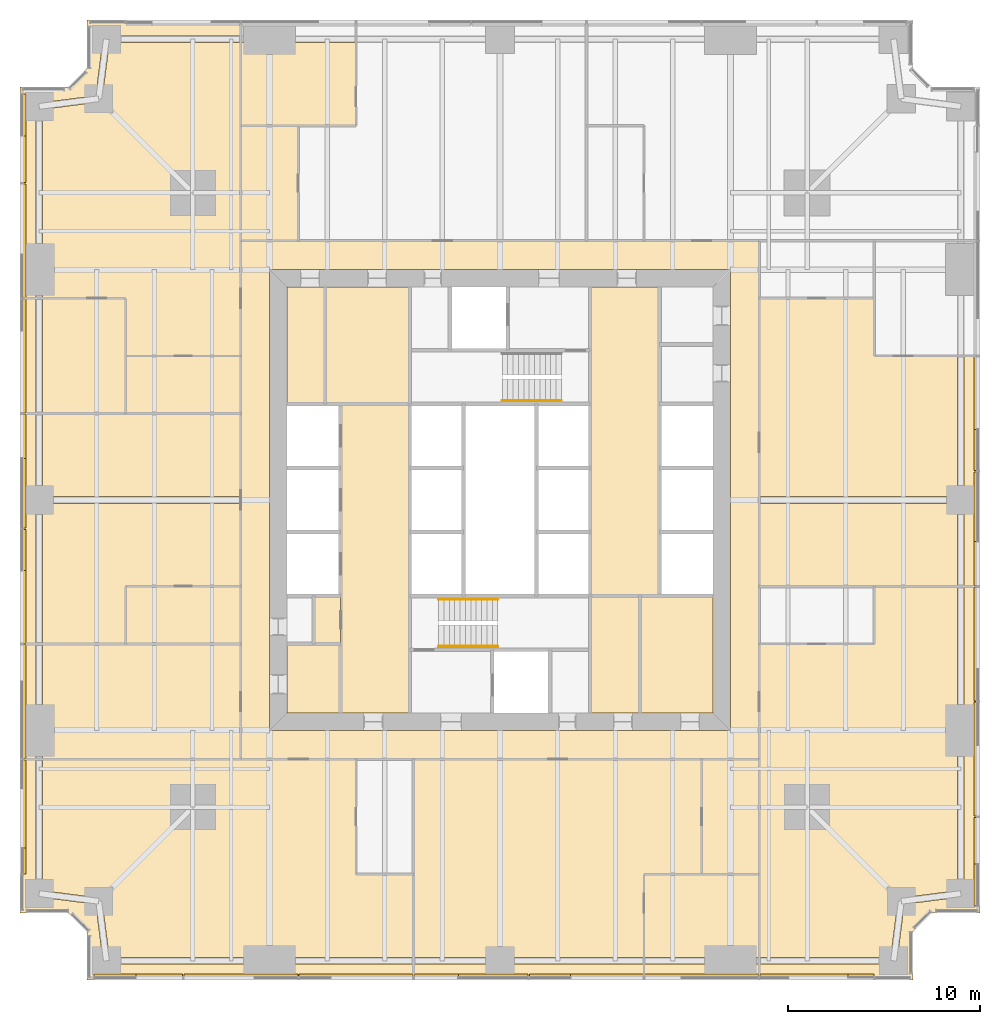
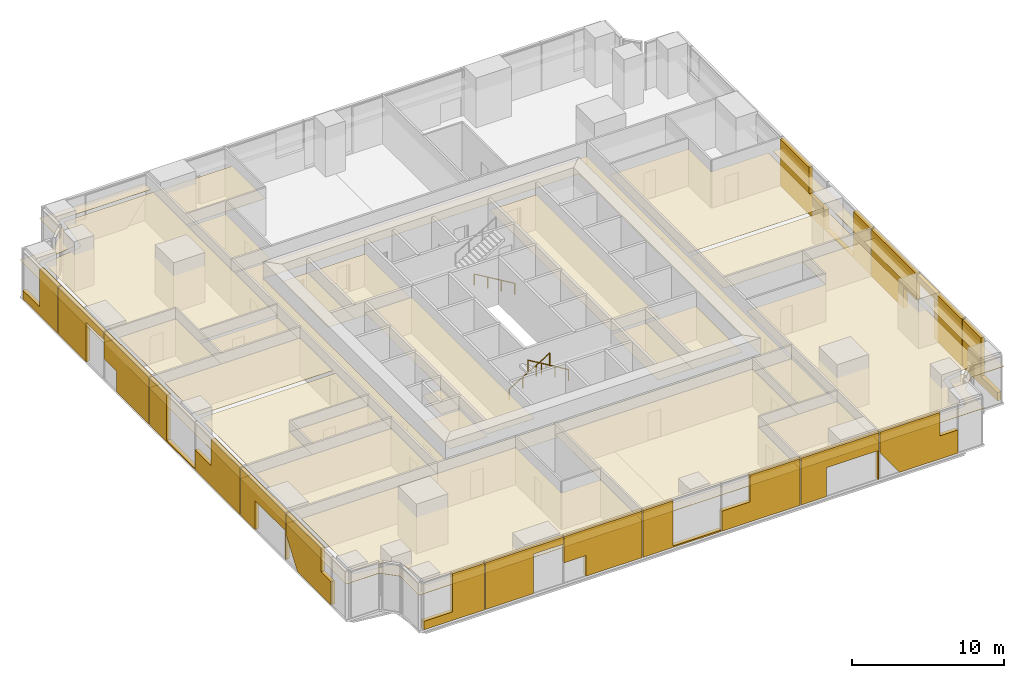
# One storey, part 12 of 13: 53 coverings, 3 railings.
"""IFC4 building model written with IfcOpenShell, lengths in metres."""

from ifc_helpers import new_model, si_unit, direction, frame, origin, origin_2d, place, context, subcontext, project, spatial, polyline, circle, outline, extrude, material, layer, layer_set, type_object, element, save


model = new_model("IFC4")

# Units and contexts
model_context = context("Model", 3, precision=1e-05, world=origin(), true_north=direction((0.0, 1.0)))
body_context = subcontext(model_context, "Body", "Model", "MODEL_VIEW")
ifc_project = project(units=[si_unit("LENGTHUNIT", "METRE"), si_unit("AREAUNIT", "SQUARE_METRE"), si_unit("VOLUMEUNIT", "CUBIC_METRE"), si_unit("PLANEANGLEUNIT", "RADIAN"), si_unit("MASSUNIT", "GRAM", prefix="KILO")], contexts=[model_context])

# Site, building, storey
site_placement = place(None, origin())
site = spatial("IfcSite", under=ifc_project, at=site_placement, CompositionType="ELEMENT")
building_placement = place(site_placement, origin())
building = spatial("IfcBuilding", under=site, at=building_placement, Name="Fenwick Lantern Interchange", CompositionType="ELEMENT")
storey_placement = place(building_placement, frame((0.0, 0.0, 47.0)))
storey = spatial("IfcBuildingStorey", under=building, at=storey_placement, Name="L10", CompositionType="ELEMENT", Elevation=47.0)

# Coverings
ifc_material_1 = material(Name="Mineral fibre acoustic tile on suspended grid")
ifc_layer_1 = layer(ifc_material_1, 0.02001953125)
ifc_layer_set_1 = layer_set([ifc_layer_1], Name="ACOUSTIC TILE CEILING 20")
covering_type_1 = type_object("IfcCoveringType", Name="ACOUSTIC TILE CEILING 20", PredefinedType="CEILING", material=ifc_layer_set_1)
covering_1_placement = place(storey_placement, frame((0.0, 0.0, 2.699951171875)))
element("IfcCovering", 1, at=covering_1_placement, inside=storey, type_object=covering_type_1, Name="Print and copy room ceiling", PredefinedType="CEILING", context=body_context, shape_type="SweptSolid", body=[
    extrude(outline(polyline([(15.300048828125, 17.5), (16.699951171875, 17.5), (16.699951171875, 20.0), (15.300048828125, 20.0), (15.300048828125, 17.5)])), origin(), (0.0, 0.0, 1.0), 0.02001953125),
])
covering_2_placement = place(storey_placement, frame((0.0, 0.0, 2.89990234375)))
element("IfcCovering", 2, at=covering_2_placement, inside=storey, type_object=covering_type_1, Name="Office suite ceiling", PredefinedType="CEILING", context=body_context, shape_type="SweptSolid", body=[
    extrude(outline(polyline([(20.5, 1.17236328125), (20.5, 5.5), (17.5, 5.5), (17.5, 11.5), (1.17236328125, 11.5), (1.17236328125, 4.651611328125), (4.1220703125, 4.27099609375), (4.10009765625, 4.10009765625), (4.27099609375, 4.1220703125), (4.651611328125, 1.17236328125), (13.0, 1.17236328125), (20.5, 1.17236328125)])), origin(), (0.0, 0.0, 1.0), 0.02001953125),
])
covering_3_placement = place(storey_placement, frame((0.0, 0.0, 2.89990234375)))
element("IfcCovering", 3, at=covering_3_placement, inside=storey, type_object=covering_type_1, Name="Office suite ceiling", PredefinedType="CEILING", context=body_context, shape_type="SweptSolid", body=[
    extrude(outline(polyline([(20.5, 0.0), (20.5, 0.82763671875), (13.0, 0.82763671875), (4.5, 0.82763671875), (4.5, 1.0), (4.3291015625, 0.97802734375), (3.946044921875, 3.946044921875), (0.97802734375, 4.3291015625), (1.0, 4.5), (0.82763671875, 4.5), (0.82763671875, 11.5), (0.0, 11.5), (0.0, 3.5), (2.5, 3.5), (3.5, 2.5), (3.5, 0.0), (20.5, 0.0)])), origin(), (0.0, 0.0, 1.0), 0.02001953125),
])
covering_4_placement = place(storey_placement, frame((0.0, 0.0, 2.89990234375)))
element("IfcCovering", 4, at=covering_4_placement, inside=storey, type_object=covering_type_1, Name="Office suite ceiling", PredefinedType="CEILING", context=body_context, shape_type="SweptSolid", body=[
    extrude(outline(polyline([(20.5, 11.5), (20.5, 1.17236328125), (25.0, 1.17236328125), (32.5, 1.17236328125), (32.5, 5.5), (35.5, 5.5), (35.5, 11.5), (20.5, 11.5)])), origin(), (0.0, 0.0, 1.0), 0.02001953125),
])
covering_5_placement = place(storey_placement, frame((0.0, 0.0, 2.89990234375)))
element("IfcCovering", 5, at=covering_5_placement, inside=storey, type_object=covering_type_1, Name="Office suite ceiling", PredefinedType="CEILING", context=body_context, shape_type="SweptSolid", body=[
    extrude(outline(polyline([(20.5, 0.82763671875), (20.5, 0.0), (32.5, 0.0), (32.5, 0.82763671875), (25.0, 0.82763671875), (20.5, 0.82763671875)])), origin(), (0.0, 0.0, 1.0), 0.02001953125),
])
covering_6_placement = place(storey_placement, frame((0.0, 0.0, 2.89990234375)))
element("IfcCovering", 6, at=covering_6_placement, inside=storey, type_object=covering_type_1, Name="Meeting room ceiling", PredefinedType="CEILING", context=body_context, shape_type="SweptSolid", body=[
    extrude(outline(polyline([(32.5, 5.5), (32.5, 1.17236328125), (37.0, 1.17236328125), (38.5, 1.17236328125), (38.5, 5.5), (32.5, 5.5)])), origin(), (0.0, 0.0, 1.0), 0.02001953125),
])
covering_7_placement = place(storey_placement, frame((0.0, 0.0, 2.89990234375)))
element("IfcCovering", 7, at=covering_7_placement, inside=storey, type_object=covering_type_1, Name="Meeting room ceiling", PredefinedType="CEILING", context=body_context, shape_type="SweptSolid", body=[
    extrude(outline(polyline([(38.5, 0.0), (38.5, 0.82763671875), (37.0, 0.82763671875), (32.5, 0.82763671875), (32.5, 0.0), (38.5, 0.0)])), origin(), (0.0, 0.0, 1.0), 0.02001953125),
])
covering_8_placement = place(storey_placement, frame((0.0, 0.0, 2.89990234375)))
element("IfcCovering", 8, at=covering_8_placement, inside=storey, type_object=covering_type_1, Name="Office suite ceiling", PredefinedType="CEILING", context=body_context, shape_type="SweptSolid", body=[
    extrude(outline(polyline([(48.82763671875, 20.5), (44.5, 20.5), (44.5, 17.5), (38.5, 17.5), (38.5, 1.17236328125), (45.348388671875, 1.17236328125), (45.72900390625, 4.1220703125), (45.89990234375, 4.10009765625), (45.8779296875, 4.27099609375), (48.82763671875, 4.651611328125), (48.82763671875, 13.0), (48.82763671875, 20.5)])), origin(), (0.0, 0.0, 1.0), 0.02001953125),
])
covering_9_placement = place(storey_placement, frame((0.0, 0.0, 2.89990234375)))
element("IfcCovering", 9, at=covering_9_placement, inside=storey, type_object=covering_type_1, Name="Office suite ceiling", PredefinedType="CEILING", context=body_context, shape_type="SweptSolid", body=[
    extrude(outline(polyline([(50.0, 20.5), (49.17236328125, 20.5), (49.17236328125, 13.0), (49.17236328125, 4.5), (49.0, 4.5), (49.02197265625, 4.3291015625), (46.053955078125, 3.946044921875), (45.6708984375, 0.97802734375), (45.5, 1.0), (45.5, 0.82763671875), (38.5, 0.82763671875), (38.5, 0.0), (46.5, 0.0), (46.5, 2.5), (47.5, 3.5), (50.0, 3.5), (50.0, 20.5)])), origin(), (0.0, 0.0, 1.0), 0.02001953125),
])
covering_10_placement = place(storey_placement, frame((0.0, 0.0, 2.89990234375)))
element("IfcCovering", 10, at=covering_10_placement, inside=storey, type_object=covering_type_1, Name="Office suite ceiling", PredefinedType="CEILING", context=body_context, shape_type="SweptSolid", body=[
    extrude(outline(polyline([(38.5, 35.5), (38.5, 25.175048828125), (48.82763671875, 25.175048828125), (48.82763671875, 32.5), (44.5, 32.5), (44.5, 35.5), (38.5, 35.5)])), origin(), (0.0, 0.0, 1.0), 0.02001953125),
])
covering_11_placement = place(storey_placement, frame((0.0, 0.0, 2.89990234375)))
element("IfcCovering", 11, at=covering_11_placement, inside=storey, type_object=covering_type_1, Name="Office suite ceiling", PredefinedType="CEILING", context=body_context, shape_type="SweptSolid", body=[
    extrude(outline(polyline([(38.5, 20.5), (48.82763671875, 20.5), (48.82763671875, 24.824951171875), (38.5, 24.824951171875), (38.5, 20.5)])), origin(), (0.0, 0.0, 1.0), 0.02001953125),
])
covering_12_placement = place(storey_placement, frame((0.0, 0.0, 2.89990234375)))
element("IfcCovering", 12, at=covering_12_placement, inside=storey, type_object=covering_type_1, Name="Office suite ceiling", PredefinedType="CEILING", context=body_context, shape_type="SweptSolid", body=[
    extrude(outline(polyline([(49.17236328125, 20.5), (50.0, 20.5), (50.0, 32.5), (49.17236328125, 32.5), (49.17236328125, 25.0), (49.17236328125, 20.5)])), origin(), (0.0, 0.0, 1.0), 0.02001953125),
])
covering_13_placement = place(storey_placement, frame((0.0, 0.0, 2.89990234375)))
element("IfcCovering", 13, at=covering_13_placement, inside=storey, type_object=covering_type_1, Name="Meeting room ceiling", PredefinedType="CEILING", context=body_context, shape_type="SweptSolid", body=[
    extrude(outline(polyline([(17.5, 44.5), (17.5, 48.82763671875), (13.0, 48.82763671875), (11.5, 48.82763671875), (11.5, 44.5), (17.5, 44.5)])), origin(), (0.0, 0.0, 1.0), 0.02001953125),
])
covering_14_placement = place(storey_placement, frame((0.0, 0.0, 2.89990234375)))
element("IfcCovering", 14, at=covering_14_placement, inside=storey, type_object=covering_type_1, Name="Office suite ceiling", PredefinedType="CEILING", context=body_context, shape_type="SweptSolid", body=[
    extrude(outline(polyline([(11.5, 32.5), (11.5, 48.82763671875), (4.651611328125, 48.82763671875), (4.27099609375, 45.8779296875), (4.10009765625, 45.89990234375), (4.1220703125, 45.72900390625), (1.17236328125, 45.348388671875), (1.17236328125, 37.0), (1.17236328125, 35.5), (5.5, 35.5), (5.5, 32.5), (11.5, 32.5)])), origin(), (0.0, 0.0, 1.0), 0.02001953125),
])
covering_15_placement = place(storey_placement, frame((0.0, 0.0, 2.89990234375)))
element("IfcCovering", 15, at=covering_15_placement, inside=storey, type_object=covering_type_1, Name="Office suite ceiling", PredefinedType="CEILING", context=body_context, shape_type="SweptSolid", body=[
    extrude(outline(polyline([(3.5, 47.5), (2.5, 46.5), (0.0, 46.5), (0.0, 35.5), (0.82763671875, 35.5), (0.82763671875, 37.0), (0.82763671875, 45.5), (1.0, 45.5), (0.97802734375, 45.6708984375), (3.946044921875, 46.053955078125), (4.3291015625, 49.02197265625), (4.5, 49.0), (4.5, 49.17236328125), (11.5, 49.17236328125), (11.5, 50.0), (3.5, 50.0), (3.5, 47.5)])), origin(), (0.0, 0.0, 1.0), 0.02001953125),
])
covering_16_placement = place(storey_placement, frame((0.0, 0.0, 2.89990234375)))
element("IfcCovering", 16, at=covering_16_placement, inside=storey, type_object=covering_type_1, Name="Meeting room ceiling", PredefinedType="CEILING", context=body_context, shape_type="SweptSolid", body=[
    extrude(outline(polyline([(5.5, 35.5), (1.17236328125, 35.5), (1.17236328125, 29.5), (5.5, 29.5), (5.5, 35.5)])), origin(), (0.0, 0.0, 1.0), 0.02001953125),
])
covering_17_placement = place(storey_placement, frame((0.0, 0.0, 2.89990234375)))
element("IfcCovering", 17, at=covering_17_placement, inside=storey, type_object=covering_type_1, Name="Meeting room ceiling", PredefinedType="CEILING", context=body_context, shape_type="SweptSolid", body=[
    extrude(outline(polyline([(0.0, 29.5), (0.82763671875, 29.5), (0.82763671875, 35.5), (0.0, 35.5), (0.0, 29.5)])), origin(), (0.0, 0.0, 1.0), 0.02001953125),
])
covering_18_placement = place(storey_placement, frame((0.0, 0.0, 2.89990234375)))
element("IfcCovering", 18, at=covering_18_placement, inside=storey, type_object=covering_type_1, Name="Office suite ceiling", PredefinedType="CEILING", context=body_context, shape_type="SweptSolid", body=[
    extrude(outline(polyline([(11.5, 20.5), (11.5, 24.824951171875), (1.17236328125, 24.824951171875), (1.17236328125, 17.5), (5.5, 17.5), (5.5, 20.5), (11.5, 20.5)])), origin(), (0.0, 0.0, 1.0), 0.02001953125),
])
covering_19_placement = place(storey_placement, frame((0.0, 0.0, 2.89990234375)))
element("IfcCovering", 19, at=covering_19_placement, inside=storey, type_object=covering_type_1, Name="Office suite ceiling", PredefinedType="CEILING", context=body_context, shape_type="SweptSolid", body=[
    extrude(outline(polyline([(11.5, 29.5), (1.17236328125, 29.5), (1.17236328125, 25.175048828125), (11.5, 25.175048828125), (11.5, 29.5)])), origin(), (0.0, 0.0, 1.0), 0.02001953125),
])
covering_20_placement = place(storey_placement, frame((0.0, 0.0, 2.89990234375)))
element("IfcCovering", 20, at=covering_20_placement, inside=storey, type_object=covering_type_1, Name="Office suite ceiling", PredefinedType="CEILING", context=body_context, shape_type="SweptSolid", body=[
    extrude(outline(polyline([(0.82763671875, 29.5), (0.0, 29.5), (0.0, 17.5), (0.82763671875, 17.5), (0.82763671875, 25.0), (0.82763671875, 29.5)])), origin(), (0.0, 0.0, 1.0), 0.02001953125),
])
covering_21_placement = place(storey_placement, frame((0.0, 0.0, 2.89990234375)))
element("IfcCovering", 21, at=covering_21_placement, inside=storey, type_object=covering_type_1, Name="Office ceiling", PredefinedType="CEILING", context=body_context, shape_type="SweptSolid", body=[
    extrude(outline(polyline([(5.5, 20.5), (5.5, 17.5), (11.5, 17.5), (11.5, 20.5), (5.5, 20.5)])), origin(), (0.0, 0.0, 1.0), 0.02001953125),
])
covering_22_placement = place(storey_placement, frame((0.0, 0.0, 2.89990234375)))
element("IfcCovering", 22, at=covering_22_placement, inside=storey, type_object=covering_type_1, Name="Office suite ceiling", PredefinedType="CEILING", context=body_context, shape_type="SweptSolid", body=[
    extrude(outline(polyline([(11.5, 17.5), (1.17236328125, 17.5), (1.17236328125, 13.0), (1.17236328125, 11.5), (11.5, 11.5), (11.5, 17.5)])), origin(), (0.0, 0.0, 1.0), 0.02001953125),
])
covering_23_placement = place(storey_placement, frame((0.0, 0.0, 2.89990234375)))
element("IfcCovering", 23, at=covering_23_placement, inside=storey, type_object=covering_type_1, Name="Office suite ceiling", PredefinedType="CEILING", context=body_context, shape_type="SweptSolid", body=[
    extrude(outline(polyline([(0.0, 17.5), (0.0, 11.5), (0.82763671875, 11.5), (0.82763671875, 13.0), (0.82763671875, 17.5), (0.0, 17.5)])), origin(), (0.0, 0.0, 1.0), 0.02001953125),
])
ifc_material_2 = material(Name="Granite cladding, warm grey flamed finish, on aluminium carrier frame", Category="masonry")
ifc_layer_2 = layer(ifc_material_2, 0.300048828125)
ifc_layer_set_2 = layer_set([ifc_layer_2], Name="BRACE CASING PANEL 300")
covering_type_2 = type_object("IfcCoveringType", Name="BRACE CASING PANEL 300", PredefinedType="CLADDING", material=ifc_layer_set_2)
covering_24_placement = place(storey_placement, frame((3.60009765625, 0.10009765625, 0.0), z_axis=(0.0, 0.0, 1.0), x_axis=(1.0, 0.0, 0.0)))
element("IfcCovering", 24, at=covering_24_placement, inside=storey, type_object=covering_type_2, Name="Brace casing 01 bay 00a", PredefinedType="CLADDING", context=body_context, shape_type="SweptSolid", body=[
    extrude(outline(polyline([(0.264892578125, 0.0), (4.867431640625, 0.0), (4.867431640625, 3.75), (2.43994140625, 3.75), (2.43994140625, 0.68212890625), (0.264892578125, 0.68212890625), (0.264892578125, 0.0)])), frame((0.0, 0.2001953125, 0.0), z_axis=(0.0, -1.0, 0.0), x_axis=(1.0, 0.0, 0.0)), (0.0, 0.0, 1.0), 0.300048828125),
])
covering_25_placement = place(storey_placement, frame((3.60009765625, 0.10009765625, 0.0), z_axis=(0.0, 0.0, 1.0), x_axis=(1.0, 0.0, 0.0)))
element("IfcCovering", 25, at=covering_25_placement, inside=storey, type_object=covering_type_2, Name="Brace casing 01 bay 01a", PredefinedType="CLADDING", context=body_context, shape_type="SweptSolid", body=[
    extrude(outline(polyline([(4.9326171875, 0.0), (8.618408203125, 0.0), (8.618408203125, 3.176513671875), (10.867431640625, 3.176513671875), (10.867431640625, 3.75), (4.9326171875, 3.75), (4.9326171875, 0.0)])), frame((0.0, 0.2001953125, 0.0), z_axis=(0.0, -1.0, 0.0), x_axis=(1.0, 0.0, 0.0)), (0.0, 0.0, 1.0), 0.300048828125),
])
covering_26_placement = place(storey_placement, frame((3.60009765625, 0.10009765625, 0.0), z_axis=(0.0, 0.0, 1.0), x_axis=(1.0, 0.0, 0.0)))
element("IfcCovering", 26, at=covering_26_placement, inside=storey, type_object=covering_type_2, Name="Brace casing 01 bay 02a", PredefinedType="CLADDING", context=body_context, shape_type="SweptSolid", body=[
    extrude(outline(polyline([(12.592529296875, 0.0), (16.867431640625, 0.0), (16.867431640625, 3.75), (10.9326171875, 3.75), (10.9326171875, 1.656005859375), (12.592529296875, 1.656005859375), (12.592529296875, 0.0)])), frame((0.0, 0.2001953125, 0.0), z_axis=(0.0, -1.0, 0.0), x_axis=(1.0, 0.0, 0.0)), (0.0, 0.0, 1.0), 0.300048828125),
])
covering_27_placement = place(storey_placement, frame((3.60009765625, 0.10009765625, 0.0), z_axis=(0.0, 0.0, 1.0), x_axis=(1.0, 0.0, 0.0)))
element("IfcCovering", 27, at=covering_27_placement, inside=storey, type_object=covering_type_2, Name="Brace casing 01 bay 03a", PredefinedType="CLADDING", context=body_context, shape_type="SweptSolid", body=[
    extrude(outline(polyline([(16.9326171875, 0.0), (22.867431640625, 0.0), (22.867431640625, 0.112060546875), (19.2275390625, 0.112060546875), (19.2275390625, 3.75), (16.9326171875, 3.75), (16.9326171875, 0.0)])), frame((0.0, 0.2001953125, 0.0), z_axis=(0.0, -1.0, 0.0), x_axis=(1.0, 0.0, 0.0)), (0.0, 0.0, 1.0), 0.300048828125),
])
covering_28_placement = place(storey_placement, frame((3.60009765625, 0.10009765625, 0.0), z_axis=(0.0, 0.0, 1.0), x_axis=(1.0, 0.0, 0.0)))
element("IfcCovering", 28, at=covering_28_placement, inside=storey, type_object=covering_type_2, Name="Brace casing 01 bay 04a", PredefinedType="CLADDING", context=body_context, shape_type="SweptSolid", body=[
    extrude(outline(polyline([(22.9326171875, 0.0), (28.867431640625, 0.0), (28.867431640625, 3.75), (25.072509765625, 3.75), (25.072509765625, 1.612060546875), (22.9326171875, 1.612060546875), (22.9326171875, 0.0)])), frame((0.0, 0.2001953125, 0.0), z_axis=(0.0, -1.0, 0.0), x_axis=(1.0, 0.0, 0.0)), (0.0, 0.0, 1.0), 0.300048828125),
])
covering_29_placement = place(storey_placement, frame((3.60009765625, 0.10009765625, 0.0), z_axis=(0.0, 0.0, 1.0), x_axis=(1.0, 0.0, 0.0)))
element("IfcCovering", 29, at=covering_29_placement, inside=storey, type_object=covering_type_2, Name="Brace casing 01 bay 05a", PredefinedType="CLADDING", context=body_context, shape_type="SweptSolid", body=[
    extrude(outline(polyline([(28.9326171875, 0.0), (30.87255859375, 0.0), (30.87255859375, 2.321044921875), (34.78759765625, 2.321044921875), (34.78759765625, 0.0), (34.867431640625, 0.0), (34.867431640625, 3.75), (28.9326171875, 3.75), (28.9326171875, 0.0)])), frame((0.0, 0.2001953125, 0.0), z_axis=(0.0, -1.0, 0.0), x_axis=(1.0, 0.0, 0.0)), (0.0, 0.0, 1.0), 0.300048828125),
])
covering_30_placement = place(storey_placement, frame((3.60009765625, 0.10009765625, 0.0), z_axis=(0.0, 0.0, 1.0), x_axis=(1.0, 0.0, 0.0)))
element("IfcCovering", 30, at=covering_30_placement, inside=storey, type_object=covering_type_2, Name="Brace casing 01 bay 06a", PredefinedType="CLADDING", context=body_context, shape_type="SweptSolid", body=[
    extrude(outline(polyline([(36.431640625, 0.0), (40.867431640625, 0.0), (40.867431640625, 1.858154296875), (39.52685546875, 1.858154296875), (39.52685546875, 3.75), (34.9326171875, 3.75), (34.9326171875, 2.116455078125), (36.431640625, 0.0)])), frame((0.0, 0.2001953125, 0.0), z_axis=(0.0, -1.0, 0.0), x_axis=(1.0, 0.0, 0.0)), (0.0, 0.0, 1.0), 0.300048828125),
])
covering_31_placement = place(storey_placement, frame((49.89990234375, 3.60009765625, 0.0), z_axis=(0.0, 0.0, 1.0), x_axis=(0.0, 1.0, 0.0)))
element("IfcCovering", 31, at=covering_31_placement, inside=storey, type_object=covering_type_2, Name="Brace casing 05 bay 00a", PredefinedType="CLADDING", context=body_context, shape_type="SweptSolid", body=[
    extrude(outline(polyline([(0.264892578125, 0.0), (4.867431640625, 0.0), (4.867431640625, 3.75), (2.43994140625, 3.75), (2.43994140625, 0.68212890625), (0.264892578125, 0.68212890625), (0.264892578125, 0.0)])), frame((0.0, 0.2001953125, 0.0), z_axis=(0.0, -1.0, 0.0), x_axis=(1.0, 0.0, 0.0)), (0.0, 0.0, 1.0), 0.300048828125),
])
covering_32_placement = place(storey_placement, frame((49.89990234375, 3.60009765625, 0.0), z_axis=(0.0, 0.0, 1.0), x_axis=(0.0, 1.0, 0.0)))
element("IfcCovering", 32, at=covering_32_placement, inside=storey, type_object=covering_type_2, Name="Brace casing 05 bay 01a", PredefinedType="CLADDING", context=body_context, shape_type="SweptSolid", body=[
    extrude(outline(polyline([(4.9326171875, 0.0), (8.618408203125, 0.0), (8.618408203125, 3.176513671875), (10.867431640625, 3.176513671875), (10.867431640625, 3.75), (4.9326171875, 3.75), (4.9326171875, 0.0)])), frame((0.0, 0.2001953125, 0.0), z_axis=(0.0, -1.0, 0.0), x_axis=(1.0, 0.0, 0.0)), (0.0, 0.0, 1.0), 0.300048828125),
])
covering_33_placement = place(storey_placement, frame((49.89990234375, 3.60009765625, 0.0), z_axis=(0.0, 0.0, 1.0), x_axis=(0.0, 1.0, 0.0)))
element("IfcCovering", 33, at=covering_33_placement, inside=storey, type_object=covering_type_2, Name="Brace casing 05 bay 02a", PredefinedType="CLADDING", context=body_context, shape_type="SweptSolid", body=[
    extrude(outline(polyline([(12.592529296875, 0.0), (16.867431640625, 0.0), (16.867431640625, 3.75), (10.9326171875, 3.75), (10.9326171875, 1.656005859375), (12.592529296875, 1.656005859375), (12.592529296875, 0.0)])), frame((0.0, 0.2001953125, 0.0), z_axis=(0.0, -1.0, 0.0), x_axis=(1.0, 0.0, 0.0)), (0.0, 0.0, 1.0), 0.300048828125),
])
covering_34_placement = place(storey_placement, frame((49.89990234375, 3.60009765625, 0.0), z_axis=(0.0, 0.0, 1.0), x_axis=(0.0, 1.0, 0.0)))
element("IfcCovering", 34, at=covering_34_placement, inside=storey, type_object=covering_type_2, Name="Brace casing 05 bay 03a", PredefinedType="CLADDING", context=body_context, shape_type="SweptSolid", body=[
    extrude(outline(polyline([(16.9326171875, 0.0), (22.867431640625, 0.0), (22.867431640625, 0.112060546875), (19.2275390625, 0.112060546875), (19.2275390625, 3.75), (16.9326171875, 3.75), (16.9326171875, 0.0)])), frame((0.0, 0.2001953125, 0.0), z_axis=(0.0, -1.0, 0.0), x_axis=(1.0, 0.0, 0.0)), (0.0, 0.0, 1.0), 0.300048828125),
])
covering_35_placement = place(storey_placement, frame((49.89990234375, 3.60009765625, 0.0), z_axis=(0.0, 0.0, 1.0), x_axis=(0.0, 1.0, 0.0)))
element("IfcCovering", 35, at=covering_35_placement, inside=storey, type_object=covering_type_2, Name="Brace casing 05 bay 04a", PredefinedType="CLADDING", context=body_context, shape_type="SweptSolid", body=[
    extrude(outline(polyline([(22.9326171875, 0.0), (28.867431640625, 0.0), (28.867431640625, 3.75), (25.072509765625, 3.75), (25.072509765625, 1.612060546875), (22.9326171875, 1.612060546875), (22.9326171875, 0.0)])), frame((0.0, 0.2001953125, 0.0), z_axis=(0.0, -1.0, 0.0), x_axis=(1.0, 0.0, 0.0)), (0.0, 0.0, 1.0), 0.300048828125),
])
covering_36_placement = place(storey_placement, frame((0.10009765625, 46.39990234375, 0.0), z_axis=(0.0, 0.0, 1.0), x_axis=(0.0, -1.0, 0.0)))
element("IfcCovering", 36, at=covering_36_placement, inside=storey, type_object=covering_type_2, Name="Brace casing 13 bay 00a", PredefinedType="CLADDING", context=body_context, shape_type="SweptSolid", body=[
    extrude(outline(polyline([(0.264892578125, 0.0), (4.867431640625, 0.0), (4.867431640625, 3.75), (2.43994140625, 3.75), (2.43994140625, 0.68212890625), (0.264892578125, 0.68212890625), (0.264892578125, 0.0)])), frame((0.0, 0.2001953125, 0.0), z_axis=(0.0, -1.0, 0.0), x_axis=(1.0, 0.0, 0.0)), (0.0, 0.0, 1.0), 0.300048828125),
])
covering_37_placement = place(storey_placement, frame((0.10009765625, 46.39990234375, 0.0), z_axis=(0.0, 0.0, 1.0), x_axis=(0.0, -1.0, 0.0)))
element("IfcCovering", 37, at=covering_37_placement, inside=storey, type_object=covering_type_2, Name="Brace casing 13 bay 01a", PredefinedType="CLADDING", context=body_context, shape_type="SweptSolid", body=[
    extrude(outline(polyline([(4.9326171875, 0.0), (8.618408203125, 0.0), (8.618408203125, 3.176513671875), (10.867431640625, 3.176513671875), (10.867431640625, 3.75), (4.9326171875, 3.75), (4.9326171875, 0.0)])), frame((0.0, 0.2001953125, 0.0), z_axis=(0.0, -1.0, 0.0), x_axis=(1.0, 0.0, 0.0)), (0.0, 0.0, 1.0), 0.300048828125),
])
covering_38_placement = place(storey_placement, frame((0.10009765625, 46.39990234375, 0.0), z_axis=(0.0, 0.0, 1.0), x_axis=(0.0, -1.0, 0.0)))
element("IfcCovering", 38, at=covering_38_placement, inside=storey, type_object=covering_type_2, Name="Brace casing 13 bay 02a", PredefinedType="CLADDING", context=body_context, shape_type="SweptSolid", body=[
    extrude(outline(polyline([(12.592529296875, 0.0), (16.867431640625, 0.0), (16.867431640625, 3.75), (10.9326171875, 3.75), (10.9326171875, 1.656005859375), (12.592529296875, 1.656005859375), (12.592529296875, 0.0)])), frame((0.0, 0.2001953125, 0.0), z_axis=(0.0, -1.0, 0.0), x_axis=(1.0, 0.0, 0.0)), (0.0, 0.0, 1.0), 0.300048828125),
])
covering_39_placement = place(storey_placement, frame((0.10009765625, 46.39990234375, 0.0), z_axis=(0.0, 0.0, 1.0), x_axis=(0.0, -1.0, 0.0)))
element("IfcCovering", 39, at=covering_39_placement, inside=storey, type_object=covering_type_2, Name="Brace casing 13 bay 03a", PredefinedType="CLADDING", context=body_context, shape_type="SweptSolid", body=[
    extrude(outline(polyline([(16.9326171875, 0.0), (22.867431640625, 0.0), (22.867431640625, 0.112060546875), (19.2275390625, 0.112060546875), (19.2275390625, 3.75), (16.9326171875, 3.75), (16.9326171875, 0.0)])), frame((0.0, 0.2001953125, 0.0), z_axis=(0.0, -1.0, 0.0), x_axis=(1.0, 0.0, 0.0)), (0.0, 0.0, 1.0), 0.300048828125),
])
covering_40_placement = place(storey_placement, frame((0.10009765625, 46.39990234375, 0.0), z_axis=(0.0, 0.0, 1.0), x_axis=(0.0, -1.0, 0.0)))
element("IfcCovering", 40, at=covering_40_placement, inside=storey, type_object=covering_type_2, Name="Brace casing 13 bay 04a", PredefinedType="CLADDING", context=body_context, shape_type="SweptSolid", body=[
    extrude(outline(polyline([(22.9326171875, 0.0), (28.867431640625, 0.0), (28.867431640625, 3.75), (25.072509765625, 3.75), (25.072509765625, 1.612060546875), (22.9326171875, 1.612060546875), (22.9326171875, 0.0)])), frame((0.0, 0.2001953125, 0.0), z_axis=(0.0, -1.0, 0.0), x_axis=(1.0, 0.0, 0.0)), (0.0, 0.0, 1.0), 0.300048828125),
])
covering_41_placement = place(storey_placement, frame((0.10009765625, 46.39990234375, 0.0), z_axis=(0.0, 0.0, 1.0), x_axis=(0.0, -1.0, 0.0)))
element("IfcCovering", 41, at=covering_41_placement, inside=storey, type_object=covering_type_2, Name="Brace casing 13 bay 05a", PredefinedType="CLADDING", context=body_context, shape_type="SweptSolid", body=[
    extrude(outline(polyline([(28.9326171875, 0.0), (30.87255859375, 0.0), (30.87255859375, 2.321044921875), (34.78759765625, 2.321044921875), (34.78759765625, 0.0), (34.867431640625, 0.0), (34.867431640625, 3.75), (28.9326171875, 3.75), (28.9326171875, 0.0)])), frame((0.0, 0.2001953125, 0.0), z_axis=(0.0, -1.0, 0.0), x_axis=(1.0, 0.0, 0.0)), (0.0, 0.0, 1.0), 0.300048828125),
])
covering_42_placement = place(storey_placement, frame((0.10009765625, 46.39990234375, 0.0), z_axis=(0.0, 0.0, 1.0), x_axis=(0.0, -1.0, 0.0)))
element("IfcCovering", 42, at=covering_42_placement, inside=storey, type_object=covering_type_2, Name="Brace casing 13 bay 06a", PredefinedType="CLADDING", context=body_context, shape_type="SweptSolid", body=[
    extrude(outline(polyline([(36.431640625, 0.0), (40.867431640625, 0.0), (40.867431640625, 1.858154296875), (39.52685546875, 1.858154296875), (39.52685546875, 3.75), (34.9326171875, 3.75), (34.9326171875, 2.116455078125), (36.431640625, 0.0)])), frame((0.0, 0.2001953125, 0.0), z_axis=(0.0, -1.0, 0.0), x_axis=(1.0, 0.0, 0.0)), (0.0, 0.0, 1.0), 0.300048828125),
])

# Railings
ifc_material_3 = material(Name="Stainless steel handrail", Category="steel")
railing_type = type_object("IfcRailingType", Name="HANDRAIL 900", PredefinedType="HANDRAIL", material=ifc_material_3)
railing_placement = place(storey_placement, frame((21.800048828125, 19.825927734375, 0.166748046875)))
element("IfcRailing", 43, at=railing_placement, inside=storey, type_object=railing_type, Name="L10/STAIR/ST1/HR1", PredefinedType="HANDRAIL", context=body_context, shape_type="SweptSolid", body=[
    extrude(circle(Radius=0.02392578125, at=origin_2d()), frame((0.0, 0.0, 0.8759765625), z_axis=(0.859290745958, 0.0, 0.51148745235), x_axis=(0.0, 1.0, 0.0)), (0.0, 0.0, 1.0), 3.584228515625),
    extrude(circle(Radius=0.02099609375, at=origin_2d()), origin(), (0.0, 0.0, 1.0), 0.851806640625),
    extrude(circle(Radius=0.02099609375, at=origin_2d()), frame((1.026611328125, 0.0, 0.611083984375)), (0.0, 0.0, 1.0), 0.851806640625),
    extrude(circle(Radius=0.02099609375, at=origin_2d()), frame((2.05322265625, 0.0, 1.22216796875)), (0.0, 0.0, 1.0), 0.851806640625),
    extrude(circle(Radius=0.02099609375, at=origin_2d()), frame((3.079833984375, 0.0, 1.833251953125)), (0.0, 0.0, 1.0), 0.851806640625),
])
for number, where, name in (
    (44, (24.8798828125, 17.3740234375, 2.166748046875), "L10/STAIR/ST1/HR2"),
    (45, (28.199951171875, 30.174072265625, 0.166748046875), "L10/STAIR/ST2/HR1"),
):
    element("IfcRailing", number, at=place(storey_placement, frame(where)), inside=storey, type_object=railing_type, Name=name, PredefinedType="HANDRAIL", context=body_context, shape_type="SweptSolid", body=[
        extrude(circle(Radius=0.02392578125, at=origin_2d()), frame((0.0, 0.0, 0.8759765625), z_axis=(-0.859290745958, 0.0, 0.51148745235), x_axis=(0.0, -1.0, 0.0)), (0.0, 0.0, 1.0), 3.584228515625),
        extrude(circle(Radius=0.02099609375, at=origin_2d()), origin(), (0.0, 0.0, 1.0), 0.851806640625),
        extrude(circle(Radius=0.02099609375, at=origin_2d()), frame((-1.026611328125, 0.0, 0.611083984375)), (0.0, 0.0, 1.0), 0.851806640625),
        extrude(circle(Radius=0.02099609375, at=origin_2d()), frame((-2.05322265625, 0.0, 1.22216796875)), (0.0, 0.0, 1.0), 0.851806640625),
        extrude(circle(Radius=0.02099609375, at=origin_2d()), frame((-3.079833984375, 0.0, 1.833251953125)), (0.0, 0.0, 1.0), 0.851806640625),
    ])

# Coverings
ifc_material_4 = material(Name="Moisture resistant gypsum board on suspended frame, painted")
ifc_layer_3 = layer(ifc_material_4, 0.014892578125)
ifc_layer_set_3 = layer_set([ifc_layer_3], Name="MOISTURE RESISTANT CEILING 15")
covering_type_3 = type_object("IfcCoveringType", Name="MOISTURE RESISTANT CEILING 15", PredefinedType="CEILING", material=ifc_layer_set_3)
covering_43_placement = place(storey_placement, frame((0.0, 0.0, 2.60009765625)))
element("IfcCovering", 46, at=covering_43_placement, inside=storey, type_object=covering_type_3, Name="Men's WC ceiling", PredefinedType="CEILING", context=body_context, shape_type="SweptSolid", body=[
    extrude(outline(polyline([(29.699951171875, 13.89990234375), (32.300048828125, 13.89990234375), (32.300048828125, 20.0), (29.699951171875, 20.0), (29.699951171875, 13.89990234375)])), origin(), (0.0, 0.0, 1.0), 0.014892578125),
])
covering_44_placement = place(storey_placement, frame((0.0, 0.0, 2.60009765625)))
element("IfcCovering", 47, at=covering_44_placement, inside=storey, type_object=covering_type_3, Name="Women's WC ceiling", PredefinedType="CEILING", context=body_context, shape_type="SweptSolid", body=[
    extrude(outline(polyline([(32.300048828125, 13.89990234375), (36.10009765625, 13.89990234375), (36.10009765625, 20.0), (32.300048828125, 20.0), (32.300048828125, 13.89990234375)])), origin(), (0.0, 0.0, 1.0), 0.014892578125),
])
covering_45_placement = place(storey_placement, frame((0.0, 0.0, 2.60009765625)))
element("IfcCovering", 48, at=covering_45_placement, inside=storey, type_object=covering_type_3, Name="Accessible WC and shower ceiling", PredefinedType="CEILING", context=body_context, shape_type="SweptSolid", body=[
    extrude(outline(polyline([(13.89990234375, 13.89990234375), (16.699951171875, 13.89990234375), (16.699951171875, 17.5), (13.89990234375, 17.5), (13.89990234375, 13.89990234375)])), origin(), (0.0, 0.0, 1.0), 0.014892578125),
])
covering_46_placement = place(storey_placement, frame((0.0, 0.0, 2.60009765625)))
element("IfcCovering", 49, at=covering_46_placement, inside=storey, type_object=covering_type_3, Name="Women's WC ceiling", PredefinedType="CEILING", context=body_context, shape_type="SweptSolid", body=[
    extrude(outline(polyline([(20.300048828125, 36.10009765625), (15.89990234375, 36.10009765625), (15.89990234375, 30.0), (20.300048828125, 30.0), (20.300048828125, 36.10009765625)])), origin(), (0.0, 0.0, 1.0), 0.014892578125),
])
covering_47_placement = place(storey_placement, frame((0.0, 0.0, 2.60009765625)))
element("IfcCovering", 50, at=covering_47_placement, inside=storey, type_object=covering_type_3, Name="Men's WC ceiling", PredefinedType="CEILING", context=body_context, shape_type="SweptSolid", body=[
    extrude(outline(polyline([(15.89990234375, 36.10009765625), (13.89990234375, 36.10009765625), (13.89990234375, 30.0), (15.89990234375, 30.0), (15.89990234375, 36.10009765625)])), origin(), (0.0, 0.0, 1.0), 0.014892578125),
])
covering_48_placement = place(storey_placement, frame((0.0, 0.0, 2.699951171875)))
element("IfcCovering", 51, at=covering_48_placement, inside=storey, type_object=covering_type_3, Name="Pantry ceiling", PredefinedType="CEILING", context=body_context, shape_type="SweptSolid", body=[
    extrude(outline(polyline([(35.5, 5.5), (38.5, 5.5), (38.5, 11.5), (35.5, 11.5), (35.5, 5.5)])), origin(), (0.0, 0.0, 1.0), 0.01513671875),
])
covering_49_placement = place(storey_placement, frame((0.0, 0.0, 2.699951171875)))
element("IfcCovering", 52, at=covering_49_placement, inside=storey, type_object=covering_type_3, Name="Pantry ceiling", PredefinedType="CEILING", context=body_context, shape_type="SweptSolid", body=[
    extrude(outline(polyline([(14.5, 44.5), (11.5, 44.5), (11.5, 38.5), (14.5, 38.5), (14.5, 44.5)])), origin(), (0.0, 0.0, 1.0), 0.01513671875),
])
covering_50_placement = place(storey_placement, frame((0.0, 0.0, 2.699951171875)))
element("IfcCovering", 53, at=covering_50_placement, inside=storey, type_object=covering_type_3, Name="Pantry ceiling", PredefinedType="CEILING", context=body_context, shape_type="SweptSolid", body=[
    extrude(outline(polyline([(5.5, 32.5), (5.5, 29.5), (11.5, 29.5), (11.5, 32.5), (5.5, 32.5)])), origin(), (0.0, 0.0, 1.0), 0.01513671875),
])
ifc_material_5 = material(Name="Gypsum plasterboard on suspended frame, painted")
ifc_layer_4 = layer(ifc_material_5, 0.014892578125)
ifc_layer_set_4 = layer_set([ifc_layer_4], Name="PLASTERBOARD CEILING 15")
covering_type_4 = type_object("IfcCoveringType", Name="PLASTERBOARD CEILING 15", PredefinedType="CEILING", material=ifc_layer_set_4)
covering_51_placement = place(storey_placement, frame((0.0, 0.0, 2.800048828125)))
element("IfcCovering", 54, at=covering_51_placement, inside=storey, type_object=covering_type_4, Name="Lift lobby ceiling", PredefinedType="CEILING", context=body_context, shape_type="SweptSolid", body=[
    extrude(outline(polyline([(16.699951171875, 13.89990234375), (20.300048828125, 13.89990234375), (20.300048828125, 30.0), (16.699951171875, 30.0), (16.699951171875, 13.89990234375)])), origin(), (0.0, 0.0, 1.0), 0.014892578125),
])
covering_52_placement = place(storey_placement, frame((0.0, 0.0, 2.800048828125)))
element("IfcCovering", 55, at=covering_52_placement, inside=storey, type_object=covering_type_4, Name="Lift lobby ceiling", PredefinedType="CEILING", context=body_context, shape_type="SweptSolid", body=[
    extrude(outline(polyline([(33.300048828125, 36.10009765625), (29.699951171875, 36.10009765625), (29.699951171875, 20.0), (33.300048828125, 20.0), (33.300048828125, 36.10009765625)])), origin(), (0.0, 0.0, 1.0), 0.014892578125),
])
covering_53_placement = place(storey_placement, frame((0.0, 0.0, 2.60009765625)))
element("IfcCovering", 56, at=covering_53_placement, inside=storey, type_object=covering_type_4, Name="Corridor ceiling", PredefinedType="CEILING", context=body_context, shape_type="SweptSolid", body=[
    extrude(outline(polyline([(11.5, 38.5), (11.5, 11.5), (38.5, 11.5), (38.5, 38.5), (11.5, 38.5)]), holes=[polyline([(37.0, 13.0), (13.0, 13.0), (13.0, 37.0), (37.0, 37.0), (37.0, 13.0)])]), origin(), (0.0, 0.0, 1.0), 0.014892578125),
])

save(model, "model.ifc")
